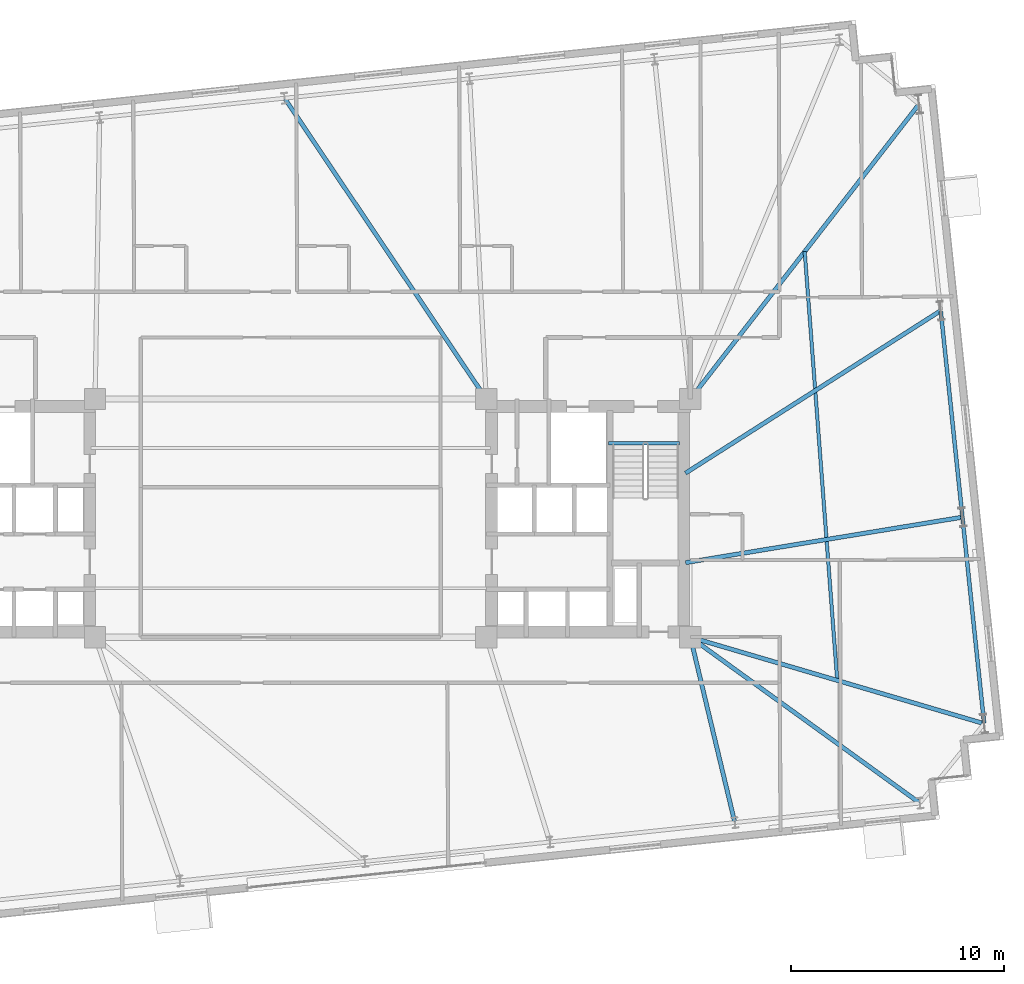
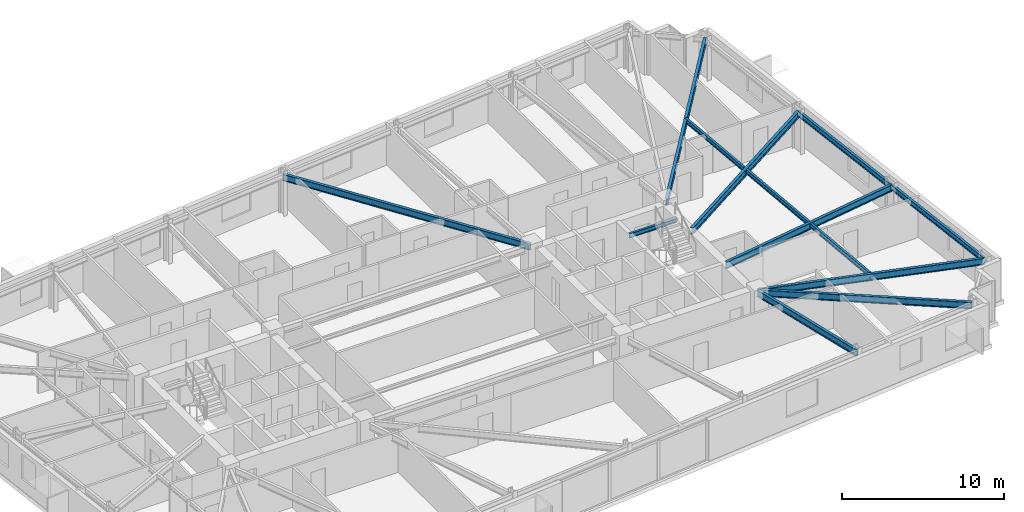
# One storey, part 11 of 23: 11 beams.
"""IFC4 building model written with IfcOpenShell, lengths in metres."""

import ifcopenshell
import ifcopenshell.guid

model = None  # the IFC model being written
_history = None  # IfcOwnerHistory: only IFC2X3 demands one
_inside = {}  # id of a spatial element -> (the spatial element, [elements in it])
_under = {}  # id of a project, library or spatial element -> (it, [spatial elements below it])
_declared = {}  # id of a project -> (the project, [libraries it declares])
_typed = {}  # id of a type object -> (the type object, [elements of that type])
_made_of = {}  # id of a material, layer set ... -> (it, [elements and type objects made of it])


def new_model(schema):
    """Start an empty IFC model of exactly this schema.

    Asked for "IFC4X3", IfcOpenShell would pick the latest addendum, in which some entities
    have other attributes; the version numbers below select the first issue.
    IFC2X3 requires an IfcOwnerHistory on every rooted entity: one is made here for all.
    """
    global model, _history
    if schema == "IFC4X3":
        model = ifcopenshell.file(schema_version=(4, 3, 0, 0))
    else:
        model = ifcopenshell.file(schema=schema)
    _inside.clear()
    _under.clear()
    _declared.clear()
    _typed.clear()
    _made_of.clear()
    _history = None
    if model.schema == "IFC2X3":
        org = make("IfcOrganization", Name="unknown")
        user = make(
            "IfcPersonAndOrganization",
            ThePerson=make("IfcPerson", FamilyName="unknown"),
            TheOrganization=org,
        )
        app = make(
            "IfcApplication",
            ApplicationDeveloper=org,
            Version="unknown",
            ApplicationFullName="unknown",
            ApplicationIdentifier="unknown",
        )
        _history = make(
            "IfcOwnerHistory",
            OwningUser=user,
            OwningApplication=app,
            ChangeAction="ADDED",
            CreationDate=0,
        )
    return model


def make(cls, **values):
    """One entity of the class cls with the attributes given. An attribute that is None is left unset."""
    return model.create_entity(
        cls, **{name: value for name, value in values.items() if value is not None}
    )


def rooted(cls, **values):
    """An entity with a GlobalId (a new one), such as an element, a storey or a relation."""
    return make(cls, GlobalId=ifcopenshell.guid.new(), OwnerHistory=_history, **values)


def si_unit(unit_type, name, prefix=None):
    """IfcSIUnit, for example si_unit("LENGTHUNIT", "METRE", prefix="MILLI")."""
    return make("IfcSIUnit", UnitType=unit_type, Prefix=prefix, Name=name)


def assignment(units):
    """IfcUnitAssignment: the units of a project."""
    return None if units is None else make("IfcUnitAssignment", Units=units)


def point(xyz):
    """IfcCartesianPoint."""
    return None if xyz is None else make("IfcCartesianPoint", Coordinates=xyz)


def direction(xyz):
    """IfcDirection."""
    return None if xyz is None else make("IfcDirection", DirectionRatios=xyz)


def frame(location, z_axis=None, x_axis=None):
    """IfcAxis2Placement3D, a coordinate frame: its origin and axes. An axis left out is left unset."""
    return make(
        "IfcAxis2Placement3D",
        Location=point(location),
        Axis=direction(z_axis),
        RefDirection=direction(x_axis),
    )


def frame_2d(location, x_axis=None):
    """IfcAxis2Placement2D, a coordinate frame in the plane: its origin and x axis."""
    return make(
        "IfcAxis2Placement2D", Location=point(location), RefDirection=direction(x_axis)
    )


def origin():
    """The frame at (0, 0, 0) with its axes left unset."""
    return frame((0.0, 0.0, 0.0))


def origin_2d():
    """The frame at (0, 0) in the plane with its x axis left unset."""
    return frame_2d((0.0, 0.0))


def place(relative_to, where):
    """IfcLocalPlacement: puts the frame where relative to a parent placement (None: the world)."""
    return make(
        "IfcLocalPlacement", PlacementRelTo=relative_to, RelativePlacement=where
    )


def context(
    kind, dimensions, precision=None, world=None, true_north=None, identifier=None
):
    """IfcGeometricRepresentationContext, for example the 3D "Model" context."""
    return make(
        "IfcGeometricRepresentationContext",
        ContextIdentifier=identifier,
        ContextType=kind,
        CoordinateSpaceDimension=dimensions,
        Precision=precision,
        WorldCoordinateSystem=world,
        TrueNorth=true_north,
    )


def subcontext(parent, identifier, kind, view, scale=None):
    """IfcGeometricRepresentationSubContext, for example "Body" below "Model"."""
    return make(
        "IfcGeometricRepresentationSubContext",
        ContextIdentifier=identifier,
        ContextType=kind,
        ParentContext=parent,
        TargetScale=scale,
        TargetView=view,
    )


def project(units=None, contexts=None):
    """IfcProject with its units and contexts."""
    return rooted(
        "IfcProject",
        Name="project",
        RepresentationContexts=contexts,
        UnitsInContext=assignment(units),
    )


def spatial(cls, under=None, at=None, **own):
    """A site, building, storey or space (cls), placed at a placement, below another one or the project."""
    s = rooted(cls, ObjectPlacement=at, **own)
    if under is not None:
        _under.setdefault(under.id(), (under, []))[1].append(s)
    return s


def profile(cls, at=None, kind="AREA", **sizes):
    """A parametric profile (cls). Its sizes go by their IFC names, for example OverallWidth=200.0."""
    return make(cls, ProfileType=kind, Position=at, **sizes)


def i_section(**sizes):
    """IfcIShapeProfileDef."""
    return profile("IfcIShapeProfileDef", **sizes)


def extrude(swept, where, along, depth):
    """IfcExtrudedAreaSolid: the profile swept, set in the frame where, extruded along a direction by depth."""
    return make(
        "IfcExtrudedAreaSolid",
        SweptArea=swept,
        Position=where,
        ExtrudedDirection=direction(along),
        Depth=depth,
    )


def shape(context_of_items, identifier, shape_type, items):
    """IfcShapeRepresentation: the items that make up one representation, for example the "Body"."""
    return make(
        "IfcShapeRepresentation",
        ContextOfItems=context_of_items,
        RepresentationIdentifier=identifier,
        RepresentationType=shape_type,
        Items=items,
    )


def material(Name=None, Category=None):
    """IfcMaterial."""
    return make("IfcMaterial", Name=Name, Category=Category)


def material_profile(
    of_material, cross_section, Name=None, Category=None, Priority=None
):
    """IfcMaterialProfile: a cross section and its material."""
    return make(
        "IfcMaterialProfile",
        Name=Name,
        Material=of_material,
        Profile=cross_section,
        Priority=Priority,
        Category=Category,
    )


def profile_set(profiles, Name=None, composite=None):
    """IfcMaterialProfileSet."""
    return make(
        "IfcMaterialProfileSet",
        Name=Name,
        MaterialProfiles=profiles,
        CompositeProfile=composite,
    )


def made_of(thing, what):
    """Note that an element or type object is made of a material, layer set ...; save() writes the relation."""
    if what is not None:
        _made_of.setdefault(what.id(), (what, []))[1].append(thing)
    return thing


def type_object(cls, material=None, **own):
    """A type object (cls), such as IfcWallType, which elements share."""
    return made_of(rooted(cls, **own), material)


def element(
    cls,
    number,
    at=None,
    inside=None,
    cuts=None,
    type_object=None,
    material=None,
    context=None,
    identifier="Body",
    shape_type=None,
    held_by="IfcProductDefinitionShape",
    body=None,
    shapes=None,
    **own,
):
    """One element of the class cls, such as IfcWall. Its Tag is "e" and its number.

    at: its placement. inside: the storey or other place that contains it. cuts: it is an
    opening in that element (IfcRelVoidsElement). A single representation is given by context,
    identifier, shape_type and body (its items); several are given by shapes. held_by: the class
    of the entity that holds the representations. save() writes the other relations.
    """
    e = rooted(cls, Tag="e%d" % number, ObjectPlacement=at, **own)
    if body is not None:
        shapes = [shape(context, identifier, shape_type, body)]
    if shapes is not None:
        e.Representation = make(held_by, Representations=shapes)
    if inside is not None:
        _inside.setdefault(inside.id(), (inside, []))[1].append(e)
    if cuts is not None:
        rooted(
            "IfcRelVoidsElement", RelatingBuildingElement=cuts, RelatedOpeningElement=e
        )
    if type_object is not None:
        _typed.setdefault(type_object.id(), (type_object, []))[1].append(e)
    return made_of(e, material)


def aggregate(whole, parts):
    """IfcRelAggregates: a whole, such as a stair, and the parts it consists of."""
    return rooted("IfcRelAggregates", RelatingObject=whole, RelatedObjects=parts)


def save(model, path):
    """Write the relations noted so far, then the file.

    IfcRelAggregates (storeys below a building ...), IfcRelContainedInSpatialStructure (elements
    in a storey), IfcRelDefinesByType, IfcRelAssociatesMaterial and IfcRelDeclares: one each for
    every whole, place, type object, material and project.
    """
    for whole, parts in _under.values():
        aggregate(whole, parts)
    for where, things in _inside.values():
        rooted(
            "IfcRelContainedInSpatialStructure",
            RelatedElements=things,
            RelatingStructure=where,
        )
    for kind, things in _typed.values():
        rooted("IfcRelDefinesByType", RelatedObjects=things, RelatingType=kind)
    for what, things in _made_of.values():
        rooted("IfcRelAssociatesMaterial", RelatedObjects=things, RelatingMaterial=what)
    for by, libraries in _declared.values():
        rooted("IfcRelDeclares", RelatingContext=by, RelatedDefinitions=libraries)
    model.write(path)


model = new_model("IFC4")

# Units and contexts
model_context = context("Model", 3, precision=1e-05, world=origin(), true_north=direction((0.0, 1.0)))
body_context = subcontext(model_context, "Body", "Model", "MODEL_VIEW")
ifc_project = project(units=[si_unit("LENGTHUNIT", "METRE"), si_unit("AREAUNIT", "SQUARE_METRE"), si_unit("VOLUMEUNIT", "CUBIC_METRE"), si_unit("PLANEANGLEUNIT", "RADIAN"), si_unit("MASSUNIT", "GRAM", prefix="KILO")], contexts=[model_context])

# Site, building, storey
site_placement = place(None, origin())
site = spatial("IfcSite", under=ifc_project, at=site_placement, CompositionType="ELEMENT")
building_placement = place(site_placement, origin())
building = spatial("IfcBuilding", under=site, at=building_placement, Name="Qobustan Lattice House", CompositionType="ELEMENT")
storey_placement = place(building_placement, frame((0.0, 0.0, 95.75)))
storey = spatial("IfcBuildingStorey", under=building, at=storey_placement, Name="L26", CompositionType="ELEMENT", Elevation=95.75)

# Beams
ifc_material_1 = material(Name="Steel S355", Category="steel")
ifc_material_profile_1 = material_profile(ifc_material_1, i_section(OverallWidth=0.199951171875, OverallDepth=0.5, WebThickness=0.01025390625, FlangeThickness=0.01611328125, FilletRadius=0.02099609375, at=origin_2d()), Name="IPE500")
ifc_profile_set_1 = profile_set([ifc_material_profile_1], Name="Steel S355")
beam_type_1 = type_object("IfcBeamType", Name="BM-FLG-IPE500", PredefinedType="USERDEFINED", material=ifc_profile_set_1)
beam_1_placement = place(storey_placement, frame((20.885009765625, -14.297607421875, 2.794921875), z_axis=(-0.233107910855, 0.97245087377, 0.0), x_axis=(-0.97245087377, -0.233107910855, 0.0)))
element("IfcBeam", 1, at=beam_1_placement, inside=storey, type_object=beam_type_1, Name="L26 primary floor girder RAD-S6", ObjectType="GIRDER", PredefinedType="USERDEFINED", context=body_context, shape_type="SweptSolid", body=[
    extrude(i_section(OverallWidth=0.199951171875, OverallDepth=0.5, WebThickness=0.01025390625, FlangeThickness=0.01611328125, FilletRadius=0.02099609375, at=origin_2d()), origin(), (0.0, 0.0, 1.0), 8.9189453125),
])
beam_2_placement = place(storey_placement, frame((29.572509765625, -13.392578125, 2.794921875), z_axis=(-0.81023705091, 0.586102313024, 0.0), x_axis=(-0.586102313024, -0.81023705091, 0.0)))
element("IfcBeam", 2, at=beam_2_placement, inside=storey, type_object=beam_type_1, Name="L26 primary floor girder RAD-S7E", ObjectType="GIRDER", PredefinedType="USERDEFINED", context=body_context, shape_type="SweptSolid", body=[
    extrude(i_section(OverallWidth=0.199951171875, OverallDepth=0.5, WebThickness=0.01025390625, FlangeThickness=0.01611328125, FilletRadius=0.02099609375, at=origin_2d()), origin(), (0.0, 0.0, 1.0), 13.2705078125),
])
beam_3_placement = place(storey_placement, frame((-0.272705078125, 19.730224609375, 2.794921875), z_axis=(0.556837669082, -0.830621339896, 0.0), x_axis=(0.830621339896, 0.556837669082, 0.0)))
element("IfcBeam", 3, at=beam_3_placement, inside=storey, type_object=beam_type_1, Name="L26 primary floor girder RAD-N4", ObjectType="GIRDER", PredefinedType="USERDEFINED", context=body_context, shape_type="SweptSolid", body=[
    extrude(i_section(OverallWidth=0.199951171875, OverallDepth=0.5, WebThickness=0.01025390625, FlangeThickness=0.01611328125, FilletRadius=0.02099609375, at=origin_2d()), origin(), (0.0, 0.0, 1.0), 16.986572265625),
])
beam_4_placement = place(storey_placement, frame((29.541015625, 19.44921875, 2.794921875), z_axis=(-0.612860318028, -0.790191262029, 0.0), x_axis=(0.790191262029, -0.612860318028, 0.0)))
element("IfcBeam", 4, at=beam_4_placement, inside=storey, type_object=beam_type_1, Name="L26 primary floor girder RAD-E4", ObjectType="GIRDER", PredefinedType="USERDEFINED", context=body_context, shape_type="SweptSolid", body=[
    extrude(i_section(OverallWidth=0.199951171875, OverallDepth=0.5, WebThickness=0.01025390625, FlangeThickness=0.01611328125, FilletRadius=0.02099609375, at=origin_2d()), origin(), (0.0, 0.0, 1.0), 17.501220703125),
])
beam_5_placement = place(storey_placement, frame((30.555908203125, 9.742431640625, 2.794921875), z_axis=(-0.843584351199, -0.536996687525, 0.0), x_axis=(0.536996687525, -0.843584351199, 0.0)))
element("IfcBeam", 5, at=beam_5_placement, inside=storey, type_object=beam_type_1, Name="L26 primary floor girder RAD-E3", ObjectType="GIRDER", PredefinedType="USERDEFINED", context=body_context, shape_type="SweptSolid", body=[
    extrude(i_section(OverallWidth=0.199951171875, OverallDepth=0.5, WebThickness=0.01025390625, FlangeThickness=0.01611328125, FilletRadius=0.02099609375, at=origin_2d()), origin(), (0.0, 0.0, 1.0), 14.20703125),
])
beam_6_placement = place(storey_placement, frame((31.5732421875, 0.03857421875, 2.794921875), z_axis=(-0.986783828506, -0.162042203761, 0.0), x_axis=(0.162042203761, -0.986783828506, 0.0)))
element("IfcBeam", 6, at=beam_6_placement, inside=storey, type_object=beam_type_1, Name="L26 primary floor girder RAD-E2", ObjectType="GIRDER", PredefinedType="USERDEFINED", context=body_context, shape_type="SweptSolid", body=[
    extrude(i_section(OverallWidth=0.199951171875, OverallDepth=0.5, WebThickness=0.01025390625, FlangeThickness=0.01611328125, FilletRadius=0.02099609375, at=origin_2d()), origin(), (0.0, 0.0, 1.0), 13.172607421875),
])
beam_7_placement = place(storey_placement, frame((32.594970703125, -9.663330078125, 2.794921875), z_axis=(-0.959254941513, 0.282541956499, 0.0), x_axis=(-0.282541956499, -0.959254941513, 0.0)))
element("IfcBeam", 7, at=beam_7_placement, inside=storey, type_object=beam_type_1, Name="L26 primary floor girder RAD-E1", ObjectType="GIRDER", PredefinedType="USERDEFINED", context=body_context, shape_type="SweptSolid", body=[
    extrude(i_section(OverallWidth=0.199951171875, OverallDepth=0.5, WebThickness=0.01025390625, FlangeThickness=0.01611328125, FilletRadius=0.02099609375, at=origin_2d()), origin(), (0.0, 0.0, 1.0), 14.35595703125),
])
ifc_material_2 = material(Name="Steel S355", Category="steel")
ifc_material_profile_2 = material_profile(ifc_material_2, i_section(OverallWidth=0.159912109375, OverallDepth=0.330078125, WebThickness=0.007568359375, FlangeThickness=0.011474609375, FilletRadius=0.01806640625, at=origin_2d()), Name="IPE330")
ifc_profile_set_2 = profile_set([ifc_material_profile_2], Name="Steel S355")
beam_type_2 = type_object("IfcBeamType", Name="BM-SEC-IPE330", PredefinedType="BEAM", material=ifc_profile_set_2)
beam_8_placement = place(storey_placement, frame((24.177978515625, 12.534423828125, 2.8798828125), z_axis=(0.075712576466, -0.997129683524, 0.0), x_axis=(0.997129683524, 0.075712576466, 0.0)))
element("IfcBeam", 8, at=beam_8_placement, inside=storey, type_object=beam_type_2, Name="L26 east wing secondary beam", PredefinedType="BEAM", context=body_context, shape_type="SweptSolid", body=[
    extrude(i_section(OverallWidth=0.159912109375, OverallDepth=0.330078125, WebThickness=0.007568359375, FlangeThickness=0.011474609375, FilletRadius=0.01806640625, at=origin_2d()), origin(), (0.0, 0.0, 1.0), 20.227783203125),
])
ifc_material_3 = material(Name="Steel S355", Category="steel")
ifc_material_profile_3 = material_profile(ifc_material_3, i_section(OverallWidth=0.159912109375, OverallDepth=0.330078125, WebThickness=0.007568359375, FlangeThickness=0.011474609375, FilletRadius=0.01806640625, at=origin_2d()), Name="IPE330")
ifc_profile_set_3 = profile_set([ifc_material_profile_3], Name="Steel S355")
beam_type_3 = type_object("IfcBeamType", Name="BM-SPD-IPE330", PredefinedType="SPANDREL", material=ifc_profile_set_3)
beam_9_placement = place(storey_placement, frame((14.949951171875, 3.52001953125, 2.8798828125), z_axis=(1.0, 0.0, 0.0), x_axis=(0.0, 1.0, 0.0)))
element("IfcBeam", 9, at=beam_9_placement, inside=storey, type_object=beam_type_3, Name="L26 east stair landing trimmer beam", PredefinedType="SPANDREL", context=body_context, shape_type="SweptSolid", body=[
    extrude(i_section(OverallWidth=0.159912109375, OverallDepth=0.330078125, WebThickness=0.007568359375, FlangeThickness=0.011474609375, FilletRadius=0.01806640625, at=origin_2d()), origin(), (0.0, 0.0, 1.0), 3.35009765625),
])
ifc_material_4 = material(Name="Steel S355", Category="steel")
ifc_material_profile_4 = material_profile(ifc_material_4, i_section(OverallWidth=0.179931640625, OverallDepth=0.39990234375, WebThickness=0.008544921875, FlangeThickness=0.013427734375, FilletRadius=0.02099609375, at=origin_2d()), Name="IPE400")
ifc_profile_set_4 = profile_set([ifc_material_profile_4], Name="Steel S355")
beam_type_4 = type_object("IfcBeamType", Name="BM-SPD-IPE400", PredefinedType="SPANDREL", material=ifc_profile_set_4)
for number, where, z_axis, x_axis, name in (
    (10, (32.6162109375, -9.6455078125, 2.844970703125), (-0.104525214252, 0.994522236848, 0.0), (-0.994522236848, -0.104525214252, 0.0), "L26 perimeter spandrel E1-E2"),
    (11, (31.595458984375, 0.067626953125, 2.844970703125), (-0.10455006589, 0.994519624604, 0.0), (-0.994519624604, -0.10455006589, 0.0), "L26 perimeter spandrel E2-E3"),
):
    element("IfcBeam", number, at=place(storey_placement, frame(where, z_axis=z_axis, x_axis=x_axis)), inside=storey, type_object=beam_type_4, Name=name, PredefinedType="SPANDREL", context=body_context, shape_type="SweptSolid", body=[
        extrude(i_section(OverallWidth=0.179931640625, OverallDepth=0.39990234375, WebThickness=0.008544921875, FlangeThickness=0.013427734375, FilletRadius=0.02099609375, at=origin_2d()), origin(), (0.0, 0.0, 1.0), 9.716552734375),
    ])

save(model, "model.ifc")
